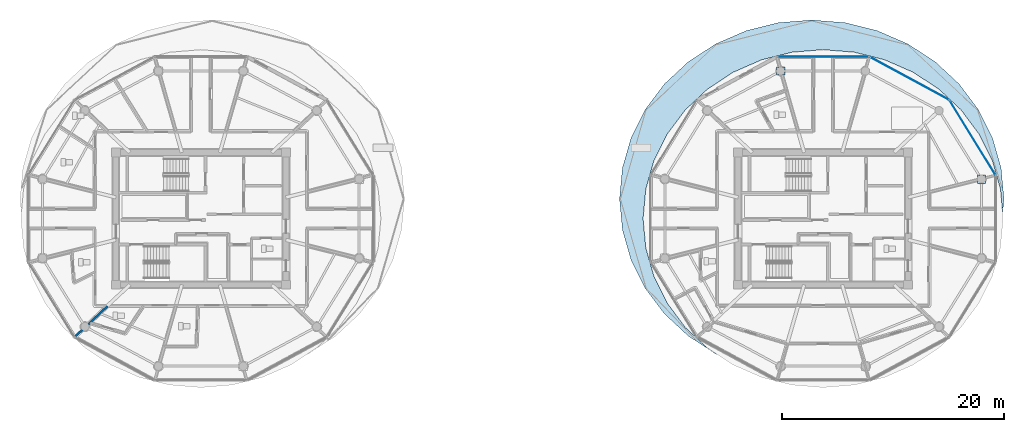
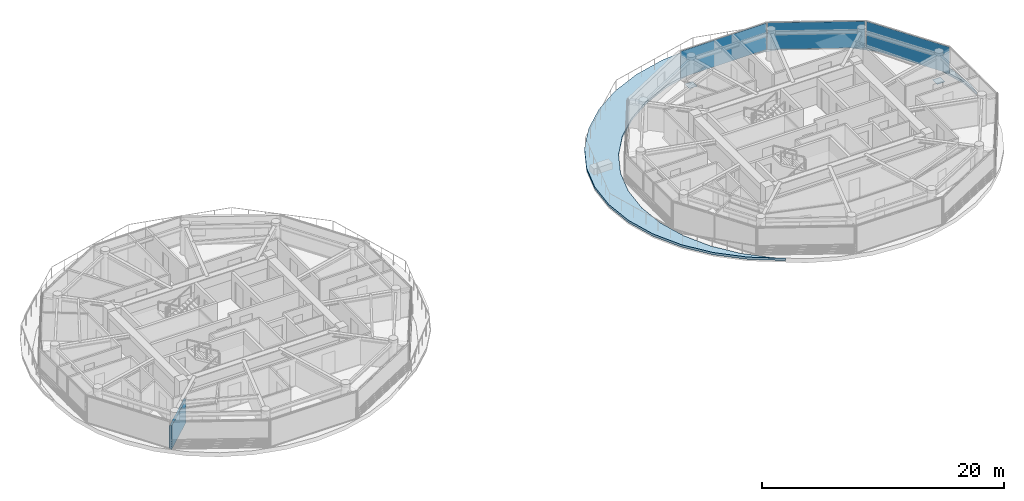
# One storey, part 9 of 28: 5 plates, 1 slab, 1 wall, 3 elements without a shape of their own.
"""IFC4 building model written with IfcOpenShell, lengths in metres."""

from ifc_helpers import new_model, si_unit, direction, frame, frame_2d, origin, origin_2d, place, context, subcontext, project, spatial, polyline, rectangle, outline, extrude, source, transform, mapped, material, layer, layer_set, type_object, type_shapes, element, aggregate, save


model = new_model("IFC4")

# Units and contexts
model_context = context("Model", 3, precision=1e-05, world=origin(), true_north=direction((0.0, 1.0)))
body_context = subcontext(model_context, "Body", "Model", "MODEL_VIEW")
ifc_project = project(units=[si_unit("LENGTHUNIT", "METRE"), si_unit("AREAUNIT", "SQUARE_METRE"), si_unit("VOLUMEUNIT", "CUBIC_METRE"), si_unit("PLANEANGLEUNIT", "RADIAN"), si_unit("MASSUNIT", "GRAM", prefix="KILO")], contexts=[model_context])

# Site, building, storey
site_placement = place(None, origin())
site = spatial("IfcSite", under=ifc_project, at=site_placement, CompositionType="ELEMENT")
building_placement = place(site_placement, origin())
building = spatial("IfcBuilding", under=site, at=building_placement, Name="Norrkilde Senior Care Towers", CompositionType="ELEMENT")
storey_placement = place(building_placement, frame((0.0, 0.0, 190.64990234375)))
storey = spatial("IfcBuildingStorey", under=building, at=storey_placement, Name="L59", CompositionType="ELEMENT", Elevation=190.64990234375)

# Slab
ifc_material_1 = material(Name="Concrete C45/55", Category="concrete")
ifc_layer_1 = layer(ifc_material_1, 0.22998046875)
ifc_layer_set_1 = layer_set([ifc_layer_1], Name="Concrete C45/55")
slab_type = type_object("IfcSlabType", Name="Cascading Garden Terrace Slab 230", PredefinedType="FLOOR", material=ifc_layer_set_1)
slab_placement = place(storey_placement, frame((0.0, 0.0, -0.22998046875)))
element("IfcSlab", 1, at=slab_placement, inside=storey, type_object=slab_type, Name="L59 Drum E Crescent Sky-Garden Terrace", PredefinedType="FLOOR", context=body_context, shape_type="SweptSolid", body=[
    extrude(outline(polyline([(18.324951171875, -12.167724609375), (15.854736328125, -10.557861328125), (13.722412109375, -8.573486328125), (11.99267578125, -6.274658203125), (10.71826171875, -3.731201171875), (9.937744140625, -1.020263671875), (9.675048828125, 1.775390625), (9.937744140625, 4.571044921875), (10.71826171875, 7.281982421875), (11.99267578125, 9.825439453125), (13.722412109375, 12.124267578125), (15.854736328125, 14.108642578125), (18.324951171875, 15.71826171875), (21.05810546875, 16.904296875), (23.970947265625, 17.630859375), (26.97509765625, 17.875244140625), (29.97900390625, 17.630859375), (32.891845703125, 16.904296875), (35.625, 15.71826171875), (38.09521484375, 14.108642578125), (40.2275390625, 12.124267578125), (41.957275390625, 9.825439453125), (43.231689453125, 7.281982421875), (44.01220703125, 4.571044921875), (44.27490234375, 1.775390625), (44.15673828125, 0.517578125), (43.958984375, 2.639892578125), (43.958740234375, 2.640380859375), (43.958740234375, 2.640869140625), (43.227783203125, 5.2001953125), (43.227783203125, 5.200439453125), (43.2275390625, 5.200927734375), (42.0341796875, 7.602294921875), (42.033935546875, 7.6025390625), (42.03369140625, 7.60302734375), (40.413818359375, 9.7734375), (40.41357421875, 9.773681640625), (40.413330078125, 9.77392578125), (38.41650390625, 11.6474609375), (38.416259765625, 11.647705078125), (38.416015625, 11.64794921875), (36.102783203125, 13.167724609375), (36.102294921875, 13.16796875), (36.10205078125, 13.168212890625), (33.542724609375, 14.287841796875), (33.542236328125, 14.2880859375), (33.5419921875, 14.2880859375), (30.814208984375, 14.973876953125), (30.81396484375, 14.97412109375), (30.8134765625, 14.97412109375), (28.00048828125, 15.205078125), (28.0, 15.205078125), (27.99951171875, 15.205078125), (25.1865234375, 14.97412109375), (25.18603515625, 14.97412109375), (25.185791015625, 14.973876953125), (22.4580078125, 14.2880859375), (22.457763671875, 14.2880859375), (22.457275390625, 14.287841796875), (19.89794921875, 13.168212890625), (19.897705078125, 13.16796875), (19.897216796875, 13.167724609375), (17.583984375, 11.64794921875), (17.583740234375, 11.647705078125), (17.58349609375, 11.6474609375), (15.586669921875, 9.77392578125), (15.58642578125, 9.773681640625), (15.586181640625, 9.7734375), (13.96630859375, 7.60302734375), (13.966064453125, 7.6025390625), (13.9658203125, 7.602294921875), (12.7724609375, 5.200927734375), (12.772216796875, 5.200439453125), (12.772216796875, 5.2001953125), (12.041259765625, 2.640869140625), (12.041259765625, 2.640380859375), (12.041015625, 2.639892578125), (11.794921875, 0.00048828125), (11.794921875, 0.0), (11.794921875, -0.00048828125), (12.041015625, -2.639892578125), (12.041259765625, -2.640380859375), (12.041259765625, -2.640869140625), (12.772216796875, -5.2001953125), (12.772216796875, -5.200439453125), (12.7724609375, -5.200927734375), (13.9658203125, -7.602294921875), (13.966064453125, -7.6025390625), (13.96630859375, -7.60302734375), (15.586181640625, -9.7734375), (15.58642578125, -9.773681640625), (15.586669921875, -9.77392578125), (17.58349609375, -11.6474609375), (17.583740234375, -11.647705078125), (17.583984375, -11.64794921875), (18.47216796875, -12.2314453125), (18.324951171875, -12.167724609375)])), origin(), (0.0, 0.0, 1.0), 0.22998046875),
])

# Plates
ifc_material_2 = material(Name="Steel S355", Category="steel")
ifc_layer_2 = layer(ifc_material_2, 0.030029296875)
ifc_layer_set_2 = layer_set([ifc_layer_2], Name="Steel S355")
plate_type_1 = type_object("IfcPlateType", Name="Column Splice Flange Plate 30", PredefinedType="USERDEFINED", material=ifc_layer_set_2)
shared_shape_1 = source(origin(), body_context, "Body", "SweptSolid", [
    extrude(rectangle(XDim=0.75, YDim=0.75, at=origin_2d()), origin(), (0.0, 0.0, 1.0), 0.030029296875),
])
type_shapes(plate_type_1, [shared_shape_1])
for number, where, z_axis, x_axis, name in (
    (2, (42.247314453125, 3.558837890625, 0.0), (0.0, 0.0, 1.0), (1.0, 0.0, 0.0), "L59 Column E-01 Splice Flange Plate"),
    (3, (24.182373046875, 13.281494140625, 0.0), (0.0, 0.0, 1.0), (1.0, 0.0, 0.0), "L59 Column E-04 Splice Flange Plate"),
):
    element("IfcPlate", number, at=place(storey_placement, frame(where, z_axis=z_axis, x_axis=x_axis)), inside=storey, type_object=plate_type_1, Name=name, ObjectType="FLANGE_PLATE", PredefinedType="USERDEFINED", context=body_context, shape_type="MappedRepresentation", body=[
        mapped(shared_shape_1, transform((0.0, 0.0, 0.0), x_axis=(1.0, 0.0, 0.0), y_axis=(0.0, 1.0, 0.0), z_axis=(0.0, 0.0, 1.0), scale=1.0)),
    ])

# Curtain wall, plate
ifc_material_3 = material(Name="Triple Low-E Insulated Glazing", Category="glass")
ifc_layer_3 = layer(ifc_material_3, 0.18505859375)
ifc_layer_set_3 = layer_set([ifc_layer_3], Name="Triple Low-E Insulated Glazing")
curtain_wall_type = type_object("IfcCurtainWallType", Name="CW6 Zone 4 Crown Pavilion Curtain Wall", PredefinedType="NOTDEFINED", material=ifc_layer_set_3)
curtain_wall_1_placement = place(storey_placement, origin())
curtain_wall_1 = element("IfcCurtainWall", 4, at=curtain_wall_1_placement, inside=storey, type_object=curtain_wall_type, Name="L59 Drum E Curtain Wall 00", PredefinedType="NOTDEFINED")
ifc_layer_4 = layer(ifc_material_3, 0.035888671875)
ifc_layer_set_4 = layer_set([ifc_layer_4], Name="Triple Low-E Insulated Glazing")
plate_type_2 = type_object("IfcPlateType", Name="Triple Low-E Vision Curtain Panel 36", PredefinedType="CURTAIN_PANEL", material=ifc_layer_set_4)
shared_shape_2 = source(origin(), body_context, "Body", "SweptSolid", [
    extrude(rectangle(XDim=7.80859375, YDim=0.035888671875, at=origin_2d()), origin(), (0.0, 0.0, 1.0), 2.68994140625),
])
plate_1_placement = place(storey_placement, frame((41.451171875, 7.282958984375, 0.06005859375), z_axis=(0.0, 0.0, 1.0), x_axis=(0.524252726748, -0.851562727283, 0.0)))
plate_1 = element("IfcPlate", 5, at=plate_1_placement, type_object=plate_type_2, Name="CW-6 panel 1.1", PredefinedType="CURTAIN_PANEL", context=body_context, shape_type="MappedRepresentation", body=[
    mapped(shared_shape_2, transform((0.0, 0.0, 0.0), x_axis=(1.0, 0.0, 0.0), y_axis=(0.0, 1.0, 0.0), z_axis=(0.0, 0.0, 1.0), scale=1.0)),
])
aggregate(curtain_wall_1, [plate_1])

curtain_wall_2_placement = place(storey_placement, origin())
curtain_wall_2 = element("IfcCurtainWall", 6, at=curtain_wall_2_placement, inside=storey, type_object=curtain_wall_type, Name="L59 Drum E Curtain Wall 02", PredefinedType="NOTDEFINED")
shared_shape_3 = source(origin(), body_context, "Body", "SweptSolid", [
    extrude(rectangle(XDim=8.193603515625, YDim=0.035888671875, at=origin_2d()), origin(), (0.0, 0.0, 1.0), 2.68994140625),
])
plate_2_placement = place(storey_placement, frame((28.0, 14.566162109375, 0.06005859375), z_axis=(0.0, 0.0, 1.0), x_axis=(1.0, 0.0, 0.0)))
plate_2 = element("IfcPlate", 7, at=plate_2_placement, type_object=plate_type_2, Name="CW-6 panel 1.1", PredefinedType="CURTAIN_PANEL", context=body_context, shape_type="MappedRepresentation", body=[
    mapped(shared_shape_3, transform((0.0, 0.0, 0.0), x_axis=(1.0, 0.0, 0.0), y_axis=(0.0, 1.0, 0.0), z_axis=(0.0, 0.0, 1.0), scale=1.0)),
])
aggregate(curtain_wall_2, [plate_2])

curtain_wall_3_placement = place(storey_placement, origin())
curtain_wall_3 = element("IfcCurtainWall", 8, at=curtain_wall_3_placement, inside=storey, type_object=curtain_wall_type, Name="L59 Drum E Curtain Wall 01", PredefinedType="NOTDEFINED")
shared_shape_4 = source(origin(), body_context, "Body", "SweptSolid", [
    extrude(rectangle(XDim=8.0673828125, YDim=0.035888671875, at=origin_2d()), origin(), (0.0, 0.0, 1.0), 2.68994140625),
])
type_shapes(plate_type_2, [shared_shape_2, shared_shape_3, shared_shape_4])
plate_3_placement = place(storey_placement, frame((35.76611328125, 12.61474609375, 0.06005859375), z_axis=(0.0, 0.0, 1.0), x_axis=(0.879373455772, -0.476132676136, 0.0)))
plate_3 = element("IfcPlate", 9, at=plate_3_placement, type_object=plate_type_2, Name="CW-6 panel 1.1", PredefinedType="CURTAIN_PANEL", context=body_context, shape_type="MappedRepresentation", body=[
    mapped(shared_shape_4, transform((0.0, 0.0, 0.0), x_axis=(1.0, 0.0, 0.0), y_axis=(0.0, 1.0, 0.0), z_axis=(0.0, 0.0, 1.0), scale=1.0)),
])
aggregate(curtain_wall_3, [plate_3])

# Wall
ifc_material_4 = material(Name="Gypsum Acoustic Board")
ifc_layer_5 = layer(ifc_material_4, 0.18994140625)
ifc_layer_set_5 = layer_set([ifc_layer_5], Name="Gypsum Acoustic Board")
wall_type = type_object("IfcWallType", Name="Unit Demising Acoustic Wall 190", PredefinedType="PARTITIONING", material=ifc_layer_set_5)
shared_shape_5 = source(origin(), body_context, "Body", "SweptSolid", [
    extrude(rectangle(XDim=4.089111328125, YDim=0.18994140625, at=frame_2d((2.04443359375, 0.0))), origin(), (0.0, 0.0, 1.0), 2.39501953125),
])
type_shapes(wall_type, [shared_shape_5])
wall_placement = place(storey_placement, frame((-36.40185546875, -7.8798828125, 0.0), z_axis=(0.0, 0.0, 1.0), x_axis=(-0.729401273609, -0.684086092577, 0.0)))
element("IfcWall", 10, at=wall_placement, inside=storey, type_object=wall_type, Name="WL-INT-L59-W-DEM-07-0", PredefinedType="PARTITIONING", context=body_context, shape_type="MappedRepresentation", body=[
    mapped(shared_shape_5, transform((0.0, 0.0, 0.0), x_axis=(1.0, 0.0, 0.0), y_axis=(0.0, 1.0, 0.0), z_axis=(0.0, 0.0, 1.0), scale=1.0)),
])

save(model, "model.ifc")
